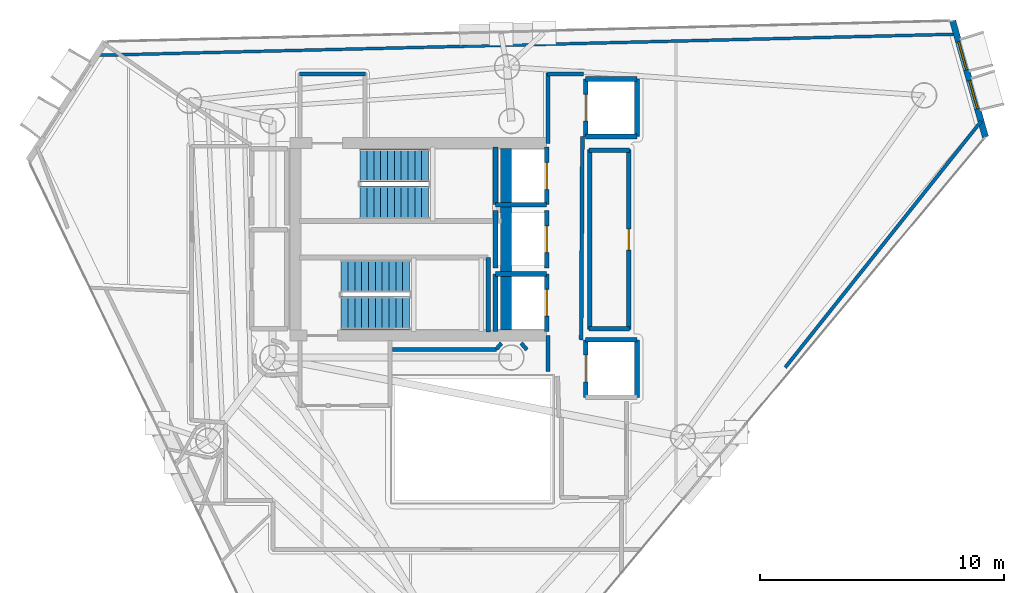
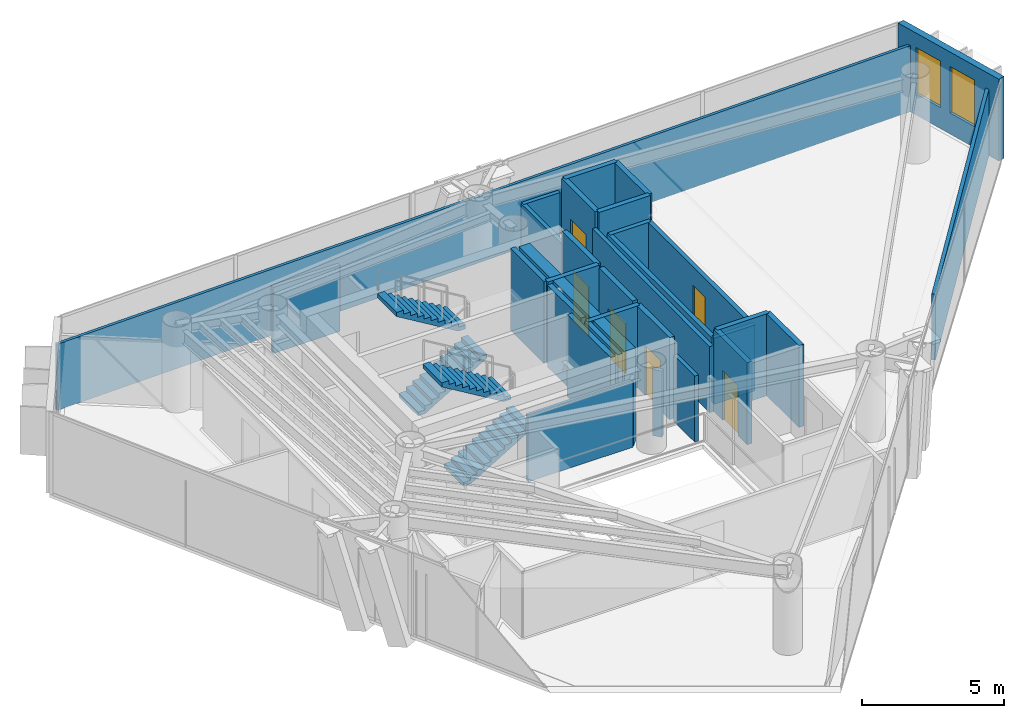
# One storey, part 16 of 20: 32 walls, 6 doors, 4 stair flights, 2 windows, 8 openings, 2 elements without a shape of their own.
"""IFC4 building model written with IfcOpenShell, lengths in metres."""

from ifc_helpers import new_model, si_unit, direction, frame, frame_2d, origin, place, context, subcontext, project, spatial, polyline, rectangle, outline, extrude, material, layer, layer_set, type_object, element, fill, aggregate, save


model = new_model("IFC4")

# Units and contexts
model_context = context("Model", 3, precision=1e-05, world=origin(), true_north=direction((0.0, 1.0)))
body_context = subcontext(model_context, "Body", "Model", "MODEL_VIEW")
ifc_project = project(units=[si_unit("LENGTHUNIT", "METRE"), si_unit("AREAUNIT", "SQUARE_METRE"), si_unit("VOLUMEUNIT", "CUBIC_METRE"), si_unit("PLANEANGLEUNIT", "RADIAN"), si_unit("MASSUNIT", "GRAM", prefix="KILO")], contexts=[model_context])

# Site, building, storey
site_placement = place(None, origin())
site = spatial("IfcSite", under=ifc_project, at=site_placement, CompositionType="ELEMENT")
building_placement = place(site_placement, origin())
building = spatial("IfcBuilding", under=site, at=building_placement, Name="Qianvela Tower", CompositionType="ELEMENT")
storey_placement = place(building_placement, frame((0.0, 0.0, 257.5)))
storey = spatial("IfcBuildingStorey", under=building, at=storey_placement, Name="L66", CompositionType="ELEMENT", Elevation=257.5)

# Wall, openings, windows
ifc_material_1 = material(Name="Terracotta Cladding on Concrete C40", Category="masonry")
ifc_layer_1 = layer(ifc_material_1, 0.260009765625)
ifc_layer_set_1 = layer_set([ifc_layer_1], Name="Terracotta Cladding on Concrete C40")
wall_type_1 = type_object("IfcWallType", Name="TERRACOTTA-WALL-260", PredefinedType="SOLIDWALL", material=ifc_layer_set_1)
wall_1_placement = place(storey_placement, frame((57.84814453125, 32.896484375, 0.0), z_axis=(0.0, 0.0, 1.0), x_axis=(-0.271221176686, 0.962517050923, 0.0)))
wall_1 = element("IfcWall", 1, at=wall_1_placement, inside=storey, type_object=wall_type_1, Name="L66 Terracotta Chamfer Facet Wall 1", PredefinedType="SOLIDWALL", context=body_context, shape_type="SweptSolid", body=[
    extrude(rectangle(XDim=4.949951171875, YDim=0.260009765625, at=frame_2d((2.47509765625, 0.0))), origin(), (0.0, 0.0, 1.0), 3.52001953125),
])
opening_1_placement = place(wall_1_placement, frame((1.205078125, 0.0, 0.89990234375)))
opening_1 = element("IfcOpeningElement", 2, at=opening_1_placement, cuts=wall_1, Name="Opening W-03", PredefinedType="OPENING", context=body_context, shape_type="SweptSolid", body=[
    extrude(rectangle(XDim=1.199951171875, YDim=2.0, at=frame_2d((0.60009765625, 1.0))), frame((0.0, 0.139892578125, 0.0), z_axis=(0.0, -1.0, 0.0), x_axis=(1.0, 0.0, 0.0)), (0.0, 0.0, 1.0), 0.280029296875),
])
opening_2_placement = place(wall_1_placement, frame((2.864990234375, 0.0, 0.89990234375)))
opening_2 = element("IfcOpeningElement", 3, at=opening_2_placement, cuts=wall_1, Name="Opening W-03", PredefinedType="OPENING", context=body_context, shape_type="SweptSolid", body=[
    extrude(rectangle(XDim=1.199951171875, YDim=2.0, at=frame_2d((0.60009765625, 1.0))), frame((0.0, 0.139892578125, 0.0), z_axis=(0.0, -1.0, 0.0), x_axis=(1.0, 0.0, 0.0)), (0.0, 0.0, 1.0), 0.280029296875),
])
ifc_material_2 = material(Name="Thermally Broken Aluminium and Low-E Glass", Category="aluminium")
window_type = type_object("IfcWindowType", Name="WIN-TC-1200x2000", PartitioningType="SINGLE_PANEL", PredefinedType="WINDOW", material=ifc_material_2)
window_1_placement = place(opening_1_placement, origin())
window_1 = element("IfcWindow", 4, at=window_1_placement, inside=storey, type_object=window_type, Name="L66 Chamfer Facet Window 1.1", OverallHeight=2.0, OverallWidth=1.199951171875, PartitioningType="SINGLE_PANEL", PredefinedType="WINDOW", context=body_context, shape_type="SweptSolid", body=[
    extrude(rectangle(XDim=1.199951171875, YDim=2.0, at=frame_2d((0.60009765625, 1.0))), frame((0.0, 0.030029296875, 0.0), z_axis=(0.0, -1.0, 0.0), x_axis=(1.0, 0.0, 0.0)), (0.0, 0.0, 1.0), 0.06005859375),
])
fill(opening_1, window_1)
window_2_placement = place(opening_2_placement, origin())
window_2 = element("IfcWindow", 5, at=window_2_placement, inside=storey, type_object=window_type, Name="L66 Chamfer Facet Window 1.2", OverallHeight=2.0, OverallWidth=1.199951171875, PartitioningType="SINGLE_PANEL", PredefinedType="WINDOW", context=body_context, shape_type="SweptSolid", body=[
    extrude(rectangle(XDim=1.199951171875, YDim=2.0, at=frame_2d((0.60009765625, 1.0))), frame((0.0, 0.030029296875, 0.0), z_axis=(0.0, -1.0, 0.0), x_axis=(1.0, 0.0, 0.0)), (0.0, 0.0, 1.0), 0.06005859375),
])
fill(opening_2, window_2)

# Walls
ifc_material_3 = material(Name="Concrete C50", Category="concrete")
ifc_layer_2 = layer(ifc_material_3, 0.449951171875)
ifc_layer_set_2 = layer_set([ifc_layer_2], Name="Concrete C50")
wall_type_2 = type_object("IfcWallType", Name="WT-CORE-450", PredefinedType="SHEAR", material=ifc_layer_set_2)
wall_2_placement = place(storey_placement, frame((38.179931640625, 24.97998046875, 0.0), z_axis=(0.0, 0.0, 1.0), x_axis=(0.0, 1.0, 0.0)))
element("IfcWall", 6, at=wall_2_placement, inside=storey, type_object=wall_type_2, Name="L66 East Spine Core Shear Wall", PredefinedType="SHEAR", context=body_context, shape_type="SweptSolid", body=[
    extrude(rectangle(XDim=7.43994140625, YDim=0.449951171875, at=frame_2d((3.719970703125, 0.0))), origin(), (0.0, 0.0, 1.0), 3.52001953125),
])
ifc_material_4 = material(Name="Fire-Rated Gypsum and Concrete Block", Category="concrete")
ifc_layer_3 = layer(ifc_material_4, 0.159912109375)
ifc_layer_set_3 = layer_set([ifc_layer_3], Name="Fire-Rated Gypsum and Concrete Block")
wall_type_3 = type_object("IfcWallType", Name="WT-CORR-160", PredefinedType="PARTITIONING", material=ifc_layer_set_3)
wall_3_placement = place(storey_placement, frame((29.699951171875, 35.489013671875, 0.0), z_axis=(0.0, 0.0, 1.0), x_axis=(1.0, 0.0, 0.0)))
element("IfcWall", 7, at=wall_3_placement, inside=storey, type_object=wall_type_3, Name="L66 Partition 3", PredefinedType="PARTITIONING", context=body_context, shape_type="SweptSolid", body=[
    extrude(rectangle(XDim=2.719970703125, YDim=0.159912109375, at=frame_2d((1.35986328125, 0.0))), origin(), (0.0, 0.0, 1.0), 2.840087890625),
])
wall_4_placement = place(storey_placement, frame((39.910888671875, 23.280029296875, 0.0), z_axis=(0.0, 0.0, 1.0), x_axis=(0.0, 1.0, 0.0)))
element("IfcWall", 8, at=wall_4_placement, inside=storey, type_object=wall_type_3, Name="L66 Partition 10", PredefinedType="PARTITIONING", context=body_context, shape_type="SweptSolid", body=[
    extrude(rectangle(XDim=1.47998046875, YDim=0.159912109375, at=frame_2d((0.739990234375, 0.0))), origin(), (0.0, 0.0, 1.0), 2.840087890625),
])
wall_5_placement = place(storey_placement, frame((39.910888671875, 32.639892578125, 0.0), z_axis=(0.0, 0.0, 1.0), x_axis=(0.0, 1.0, 0.0)))
element("IfcWall", 9, at=wall_5_placement, inside=storey, type_object=wall_type_3, Name="L66 Partition 12", PredefinedType="PARTITIONING", context=body_context, shape_type="SweptSolid", body=[
    extrude(rectangle(XDim=2.880126953125, YDim=0.159912109375, at=frame_2d((1.43994140625, 0.0))), origin(), (0.0, 0.0, 1.0), 2.840087890625),
])
wall_6_placement = place(storey_placement, frame((39.8798828125, 35.489013671875, 0.0), z_axis=(0.0, 0.0, 1.0), x_axis=(1.0, 0.0, 0.0)))
element("IfcWall", 10, at=wall_6_placement, inside=storey, type_object=wall_type_3, Name="L66 Partition 13", PredefinedType="PARTITIONING", context=body_context, shape_type="SweptSolid", body=[
    extrude(rectangle(XDim=1.480224609375, YDim=0.159912109375, at=frame_2d((0.740234375, 0.0))), origin(), (0.0, 0.0, 1.0), 2.840087890625),
])
wall_7_placement = place(storey_placement, frame((41.3134765625, 32.919921875, 0.0), z_axis=(0.0, 0.0, 1.0), x_axis=(-0.005942518022, -0.999982343084, 0.0)))
element("IfcWall", 11, at=wall_7_placement, inside=storey, type_object=wall_type_3, Name="L66 Partition 14 seg 2", PredefinedType="PARTITIONING", context=body_context, shape_type="SweptSolid", body=[
    extrude(rectangle(XDim=8.340087890625, YDim=0.159912109375, at=frame_2d((4.169921875, 0.0))), origin(), (0.0, 0.0, 1.0), 2.840087890625),
])
wall_8_placement = place(storey_placement, frame((39.0361328125, 24.170166015625, 0.0), z_axis=(0.0, 0.0, 1.0), x_axis=(-0.652260263346, 0.757995084984, 0.0)))
element("IfcWall", 12, at=wall_8_placement, inside=storey, type_object=wall_type_3, Name="L66 Partition 45", PredefinedType="PARTITIONING", context=body_context, shape_type="SweptSolid", body=[
    extrude(rectangle(XDim=0.35546875, YDim=0.159912109375, at=frame_2d((0.177734375, 0.0))), origin(), (0.0, 0.0, 1.0), 2.840087890625),
])
wall_9_placement = place(storey_placement, frame((37.995849609375, 24.439697265625, 0.0), z_axis=(0.0, 0.0, 1.0), x_axis=(-0.652425645794, -0.757852740782, 0.0)))
element("IfcWall", 13, at=wall_9_placement, inside=storey, type_object=wall_type_3, Name="L66 Partition 48", PredefinedType="PARTITIONING", context=body_context, shape_type="SweptSolid", body=[
    extrude(rectangle(XDim=0.319580078125, YDim=0.159912109375, at=frame_2d((0.15966796875, 0.0))), origin(), (0.0, 0.0, 1.0), 2.840087890625),
])
wall_10_placement = place(storey_placement, frame((37.787353515625, 24.180908203125, 0.0), z_axis=(0.0, 0.0, 1.0), x_axis=(-1.0, 0.0, 0.0)))
element("IfcWall", 14, at=wall_10_placement, inside=storey, type_object=wall_type_3, Name="L66 Partition 49", PredefinedType="PARTITIONING", context=body_context, shape_type="SweptSolid", body=[
    extrude(rectangle(XDim=4.25732421875, YDim=0.159912109375, at=frame_2d((2.128662109375, 0.0))), origin(), (0.0, 0.0, 1.0), 2.840087890625),
])
ifc_material_5 = material(Name="Insulated Gypsum Stud Partition")
ifc_layer_4 = layer(ifc_material_5, 0.1201171875)
ifc_layer_set_4 = layer_set([ifc_layer_4], Name="Insulated Gypsum Stud Partition")
wall_type_4 = type_object("IfcWallType", Name="WT-PART-120", PredefinedType="PARTITIONING", material=ifc_layer_set_4)
wall_11_placement = place(storey_placement, frame((21.364990234375, 36.24658203125, 0.0), z_axis=(0.0, 0.0, 1.0), x_axis=(0.999698298545, 0.024562407988, 0.0)))
element("IfcWall", 15, at=wall_11_placement, inside=storey, type_object=wall_type_4, Name="L66 Partition 87", PredefinedType="PARTITIONING", context=body_context, shape_type="SweptSolid", body=[
    extrude(rectangle(XDim=35.325439453125, YDim=0.1201171875, at=frame_2d((17.66259765625, 0.0))), origin(), (0.0, 0.0, 1.0), 2.840087890625),
])
ifc_material_6 = material(Name="Moisture-Resistant Acoustic Plumbing Wall")
ifc_layer_5 = layer(ifc_material_6, 0.175048828125)
ifc_layer_set_5 = layer_set([ifc_layer_5], Name="Moisture-Resistant Acoustic Plumbing Wall")
wall_type_5 = type_object("IfcWallType", Name="WT-PLUMB-175", PredefinedType="PLUMBINGWALL", material=ifc_layer_set_5)
wall_12_placement = place(storey_placement, frame((43.25, 25.031005859375, 0.0), z_axis=(0.0, 0.0, 1.0), x_axis=(-1.0, 0.0, 0.0)))
element("IfcWall", 16, at=wall_12_placement, inside=storey, type_object=wall_type_5, Name="L66 Partition 19", PredefinedType="PLUMBINGWALL", context=body_context, shape_type="SweptSolid", body=[
    extrude(rectangle(XDim=1.669921875, YDim=0.175048828125, at=frame_2d((0.8349609375, 0.0))), origin(), (0.0, 0.0, 1.0), 2.840087890625),
])
wall_13_placement = place(storey_placement, frame((41.611083984375, 25.0, 0.0), z_axis=(0.0, 0.0, 1.0), x_axis=(0.0, 1.0, 0.0)))
element("IfcWall", 17, at=wall_13_placement, inside=storey, type_object=wall_type_5, Name="L66 Partition 20", PredefinedType="PLUMBINGWALL", context=body_context, shape_type="SweptSolid", body=[
    extrude(rectangle(XDim=7.3798828125, YDim=0.175048828125, at=frame_2d((3.68994140625, 0.0))), origin(), (0.0, 0.0, 1.0), 2.840087890625),
])
wall_14_placement = place(storey_placement, frame((41.580078125, 32.34912109375, 0.0), z_axis=(0.0, 0.0, 1.0), x_axis=(1.0, 0.0, 0.0)))
element("IfcWall", 18, at=wall_14_placement, inside=storey, type_object=wall_type_5, Name="L66 Partition 21", PredefinedType="PLUMBINGWALL", context=body_context, shape_type="SweptSolid", body=[
    extrude(rectangle(XDim=1.669921875, YDim=0.175048828125, at=frame_2d((0.8349609375, 0.0))), origin(), (0.0, 0.0, 1.0), 2.840087890625),
])

# Wall, opening, door
wall_15_placement = place(storey_placement, frame((43.218994140625, 32.3798828125, 0.0), z_axis=(0.0, 0.0, 1.0), x_axis=(0.0, -1.0, 0.0)))
wall_15 = element("IfcWall", 19, at=wall_15_placement, inside=storey, type_object=wall_type_5, Name="L66 Partition 22", PredefinedType="PLUMBINGWALL", context=body_context, shape_type="SweptSolid", body=[
    extrude(rectangle(XDim=7.3798828125, YDim=0.175048828125, at=frame_2d((3.68994140625, 0.0))), origin(), (0.0, 0.0, 1.0), 2.840087890625),
])
opening_3_placement = place(wall_15_placement, frame((3.260009765625, 0.0, 0.0)))
opening_3 = element("IfcOpeningElement", 20, at=opening_3_placement, cuts=wall_15, Name="Opening D-WC1", PredefinedType="OPENING", context=body_context, shape_type="SweptSolid", body=[
    extrude(rectangle(XDim=0.860107421875, YDim=2.050048828125, at=frame_2d((0.43017578125, 1.02490234375))), frame((0.0, 0.097412109375, 0.0), z_axis=(0.0, -1.0, 0.0), x_axis=(1.0, 0.0, 0.0)), (0.0, 0.0, 1.0), 0.195068359375),
])
ifc_material_7 = material(Name="Moisture-Sealed Acoustic Timber Door", Category="wood")
door_type_1 = type_object("IfcDoorType", Name="DT-WC-860", OperationType="NOTDEFINED", PredefinedType="DOOR", material=ifc_material_7)
door_1_placement = place(opening_3_placement, origin())
door_1 = element("IfcDoor", 21, at=door_1_placement, inside=storey, type_object=door_type_1, Name="L66 Door L66 Accessible WC to Project Huddle Conference L66-02", OperationType="SINGLE_SWING_LEFT", OverallHeight=2.050048828125, OverallWidth=0.860107421875, PredefinedType="DOOR", context=body_context, shape_type="SweptSolid", body=[
    extrude(rectangle(XDim=0.860107421875, YDim=2.050048828125, at=frame_2d((0.43017578125, 1.02490234375))), frame((0.0, 0.02490234375, 0.0), z_axis=(0.0, -1.0, 0.0), x_axis=(1.0, 0.0, 0.0)), (0.0, 0.0, 1.0), 0.050048828125),
])
fill(opening_3, door_1)

# Walls
ifc_material_8 = material(Name="Acoustic Double Gypsum Stud Partition")
ifc_layer_6 = layer(ifc_material_8, 0.139892578125)
ifc_layer_set_6 = layer_set([ifc_layer_6], Name="Acoustic Double Gypsum Stud Partition")
wall_type_6 = type_object("IfcWallType", Name="WT-ROOM-140", PredefinedType="PARTITIONING", material=ifc_layer_set_6)
wall_16_placement = place(storey_placement, frame((57.6796875, 33.554443359375, 0.0), z_axis=(0.0, 0.0, 1.0), x_axis=(-0.622605098016, -0.782536192086, 0.0)))
element("IfcWall", 22, at=wall_16_placement, inside=storey, type_object=wall_type_6, Name="L66 Partition 89 seg 1", PredefinedType="PARTITIONING", context=body_context, shape_type="SweptSolid", body=[
    extrude(rectangle(XDim=12.920654296875, YDim=0.139892578125, at=frame_2d((6.46044921875, 0.0))), origin(), (0.0, 0.0, 1.0), 2.840087890625),
])
ifc_material_9 = material(Name="Concrete C50", Category="concrete")
ifc_layer_7 = layer(ifc_material_9, 0.199951171875)
ifc_layer_set_7 = layer_set([ifc_layer_7], Name="Concrete C50")
wall_type_7 = type_object("IfcWallType", Name="WT-SHAFT-200", PredefinedType="SOLIDWALL", material=ifc_layer_set_7)
wall_17_placement = place(storey_placement, frame((37.449951171875, 24.89990234375, 0.0), z_axis=(0.0, 0.0, 1.0), x_axis=(0.0, 1.0, 0.0)))
element("IfcWall", 23, at=wall_17_placement, inside=storey, type_object=wall_type_7, Name="L66 Stair ST-2 East Wall", PredefinedType="SOLIDWALL", context=body_context, shape_type="SweptSolid", body=[
    extrude(rectangle(XDim=3.06005859375, YDim=0.199951171875, at=frame_2d((1.530029296875, 0.0))), origin(), (0.0, 0.0, 1.0), 3.52001953125),
])

# Wall, opening, door
wall_18_placement = place(storey_placement, frame((39.85009765625, 30.1201171875, 0.0), z_axis=(0.0, 0.0, 1.0), x_axis=(0.0, 1.0, 0.0)))
wall_18 = element("IfcWall", 24, at=wall_18_placement, inside=storey, type_object=wall_type_7, Name="L66 Lift FL-1 E Shaft Wall", PredefinedType="SOLIDWALL", context=body_context, shape_type="SweptSolid", body=[
    extrude(rectangle(XDim=2.35986328125, YDim=0.199951171875, at=frame_2d((1.179931640625, 0.0))), origin(), (0.0, 0.0, 1.0), 3.52001953125),
])
opening_4_placement = place(wall_18_placement, frame((0.6298828125, 0.0, 0.0)))
opening_4 = element("IfcOpeningElement", 25, at=opening_4_placement, cuts=wall_18, Name="Opening LD-01", PredefinedType="OPENING", context=body_context, shape_type="SweptSolid", body=[
    extrude(rectangle(XDim=1.10009765625, YDim=2.14990234375, at=frame_2d((0.550048828125, 1.074951171875))), frame((0.0, 0.10986328125, 0.0), z_axis=(0.0, -1.0, 0.0), x_axis=(1.0, 0.0, 0.0)), (0.0, 0.0, 1.0), 0.219970703125),
])
ifc_material_10 = material(Name="Brushed Stainless Steel Lift Landing Door", Category="steel")
door_type_2 = type_object("IfcDoorType", Name="DT-LIFT-SLIDE-1100", OperationType="SLIDING_TO_LEFT", PredefinedType="DOOR", material=ifc_material_10)
door_2_placement = place(opening_4_placement, origin())
door_2 = element("IfcDoor", 26, at=door_2_placement, inside=storey, type_object=door_type_2, Name="L66 Lift FL-1 Sliding Landing Door", OperationType="SLIDING_TO_LEFT", OverallHeight=2.14990234375, OverallWidth=1.10009765625, PredefinedType="DOOR", context=body_context, shape_type="SweptSolid", body=[
    extrude(rectangle(XDim=1.10009765625, YDim=2.14990234375, at=frame_2d((0.550048828125, 1.074951171875))), frame((0.0, 0.02490234375, 0.0), z_axis=(0.0, -1.0, 0.0), x_axis=(1.0, 0.0, 0.0)), (0.0, 0.0, 1.0), 0.050048828125),
])
fill(opening_4, door_2)

# Walls
wall_19_placement = place(storey_placement, frame((37.75, 30.1201171875, 0.0), z_axis=(0.0, 0.0, 1.0), x_axis=(0.0, 1.0, 0.0)))
element("IfcWall", 27, at=wall_19_placement, inside=storey, type_object=wall_type_7, Name="L66 Lift FL-1 W Shaft Wall", PredefinedType="SOLIDWALL", context=body_context, shape_type="SweptSolid", body=[
    extrude(rectangle(XDim=2.35986328125, YDim=0.199951171875, at=frame_2d((1.179931640625, 0.0))), origin(), (0.0, 0.0, 1.0), 3.52001953125),
])
wall_20_placement = place(storey_placement, frame((37.75, 30.1201171875, 0.0), z_axis=(0.0, 0.0, 1.0), x_axis=(1.0, 0.0, 0.0)))
element("IfcWall", 28, at=wall_20_placement, inside=storey, type_object=wall_type_7, Name="L66 Lift FL-1 S Shaft Wall", PredefinedType="SOLIDWALL", context=body_context, shape_type="SweptSolid", body=[
    extrude(rectangle(XDim=2.10009765625, YDim=0.199951171875, at=frame_2d((1.050048828125, 0.0))), origin(), (0.0, 0.0, 1.0), 3.52001953125),
])

# Wall, opening, door
wall_21_placement = place(storey_placement, frame((39.85009765625, 24.919921875, 0.0), z_axis=(0.0, 0.0, 1.0), x_axis=(0.0, 1.0, 0.0)))
wall_21 = element("IfcWall", 29, at=wall_21_placement, inside=storey, type_object=wall_type_7, Name="L66 Lift FL-2 E Shaft Wall", PredefinedType="SOLIDWALL", context=body_context, shape_type="SweptSolid", body=[
    extrude(rectangle(XDim=2.360107421875, YDim=0.199951171875, at=frame_2d((1.18017578125, 0.0))), origin(), (0.0, 0.0, 1.0), 3.52001953125),
])
opening_5_placement = place(wall_21_placement, frame((0.6298828125, 0.0, 0.0)))
opening_5 = element("IfcOpeningElement", 30, at=opening_5_placement, cuts=wall_21, Name="Opening LD-01", PredefinedType="OPENING", context=body_context, shape_type="SweptSolid", body=[
    extrude(rectangle(XDim=1.10009765625, YDim=2.14990234375, at=frame_2d((0.550048828125, 1.074951171875))), frame((0.0, 0.10986328125, 0.0), z_axis=(0.0, -1.0, 0.0), x_axis=(1.0, 0.0, 0.0)), (0.0, 0.0, 1.0), 0.219970703125),
])
door_3_placement = place(opening_5_placement, origin())
door_3 = element("IfcDoor", 31, at=door_3_placement, inside=storey, type_object=door_type_2, Name="L66 Lift FL-2 Sliding Landing Door", OperationType="SLIDING_TO_LEFT", OverallHeight=2.14990234375, OverallWidth=1.10009765625, PredefinedType="DOOR", context=body_context, shape_type="SweptSolid", body=[
    extrude(rectangle(XDim=1.10009765625, YDim=2.14990234375, at=frame_2d((0.550048828125, 1.074951171875))), frame((0.0, 0.02490234375, 0.0), z_axis=(0.0, -1.0, 0.0), x_axis=(1.0, 0.0, 0.0)), (0.0, 0.0, 1.0), 0.050048828125),
])
fill(opening_5, door_3)

# Walls
wall_22_placement = place(storey_placement, frame((37.75, 24.919921875, 0.0), z_axis=(0.0, 0.0, 1.0), x_axis=(0.0, 1.0, 0.0)))
element("IfcWall", 32, at=wall_22_placement, inside=storey, type_object=wall_type_7, Name="L66 Lift FL-2 W Shaft Wall", PredefinedType="SOLIDWALL", context=body_context, shape_type="SweptSolid", body=[
    extrude(rectangle(XDim=2.360107421875, YDim=0.199951171875, at=frame_2d((1.18017578125, 0.0))), origin(), (0.0, 0.0, 1.0), 3.52001953125),
])
wall_23_placement = place(storey_placement, frame((37.75, 27.280029296875, 0.0), z_axis=(0.0, 0.0, 1.0), x_axis=(1.0, 0.0, 0.0)))
element("IfcWall", 33, at=wall_23_placement, inside=storey, type_object=wall_type_7, Name="L66 Lift FL-2 N Shaft Wall", PredefinedType="SOLIDWALL", context=body_context, shape_type="SweptSolid", body=[
    extrude(rectangle(XDim=2.10009765625, YDim=0.199951171875, at=frame_2d((1.050048828125, 0.0))), origin(), (0.0, 0.0, 1.0), 3.52001953125),
])

# Wall, opening, door
wall_24_placement = place(storey_placement, frame((39.85009765625, 27.52001953125, 0.0), z_axis=(0.0, 0.0, 1.0), x_axis=(0.0, 1.0, 0.0)))
wall_24 = element("IfcWall", 34, at=wall_24_placement, inside=storey, type_object=wall_type_7, Name="L66 Lift PL-H1 E Shaft Wall", PredefinedType="SOLIDWALL", context=body_context, shape_type="SweptSolid", body=[
    extrude(rectangle(XDim=2.35986328125, YDim=0.199951171875, at=frame_2d((1.179931640625, 0.0))), origin(), (0.0, 0.0, 1.0), 3.52001953125),
])
opening_6_placement = place(wall_24_placement, frame((0.6298828125, 0.0, 0.0)))
opening_6 = element("IfcOpeningElement", 35, at=opening_6_placement, cuts=wall_24, Name="Opening LD-01", PredefinedType="OPENING", context=body_context, shape_type="SweptSolid", body=[
    extrude(rectangle(XDim=1.10009765625, YDim=2.14990234375, at=frame_2d((0.550048828125, 1.074951171875))), frame((0.0, 0.10986328125, 0.0), z_axis=(0.0, -1.0, 0.0), x_axis=(1.0, 0.0, 0.0)), (0.0, 0.0, 1.0), 0.219970703125),
])
door_4_placement = place(opening_6_placement, origin())
door_4 = element("IfcDoor", 36, at=door_4_placement, inside=storey, type_object=door_type_2, Name="L66 Lift PL-H1 Sliding Landing Door", OperationType="SLIDING_TO_LEFT", OverallHeight=2.14990234375, OverallWidth=1.10009765625, PredefinedType="DOOR", context=body_context, shape_type="SweptSolid", body=[
    extrude(rectangle(XDim=1.10009765625, YDim=2.14990234375, at=frame_2d((0.550048828125, 1.074951171875))), frame((0.0, 0.02490234375, 0.0), z_axis=(0.0, -1.0, 0.0), x_axis=(1.0, 0.0, 0.0)), (0.0, 0.0, 1.0), 0.050048828125),
])
fill(opening_6, door_4)

# Walls
wall_25_placement = place(storey_placement, frame((37.75, 27.52001953125, 0.0), z_axis=(0.0, 0.0, 1.0), x_axis=(0.0, 1.0, 0.0)))
element("IfcWall", 37, at=wall_25_placement, inside=storey, type_object=wall_type_7, Name="L66 Lift PL-H1 W Shaft Wall", PredefinedType="SOLIDWALL", context=body_context, shape_type="SweptSolid", body=[
    extrude(rectangle(XDim=2.35986328125, YDim=0.199951171875, at=frame_2d((1.179931640625, 0.0))), origin(), (0.0, 0.0, 1.0), 3.52001953125),
])
wall_26_placement = place(storey_placement, frame((43.550048828125, 22.219970703125, 0.0), z_axis=(0.0, 0.0, 1.0), x_axis=(0.0, 1.0, 0.0)))
element("IfcWall", 38, at=wall_26_placement, inside=storey, type_object=wall_type_7, Name="L66 Lift PL-H2 E Shaft Wall", PredefinedType="SOLIDWALL", context=body_context, shape_type="SweptSolid", body=[
    extrude(rectangle(XDim=2.360107421875, YDim=0.199951171875, at=frame_2d((1.18017578125, 0.0))), origin(), (0.0, 0.0, 1.0), 3.52001953125),
])

# Wall, opening, door
wall_27_placement = place(storey_placement, frame((41.449951171875, 22.219970703125, 0.0), z_axis=(0.0, 0.0, 1.0), x_axis=(0.0, 1.0, 0.0)))
wall_27 = element("IfcWall", 39, at=wall_27_placement, inside=storey, type_object=wall_type_7, Name="L66 Lift PL-H2 W Shaft Wall", PredefinedType="SOLIDWALL", context=body_context, shape_type="SweptSolid", body=[
    extrude(rectangle(XDim=2.360107421875, YDim=0.199951171875, at=frame_2d((1.18017578125, 0.0))), origin(), (0.0, 0.0, 1.0), 3.52001953125),
])
opening_7_placement = place(wall_27_placement, frame((0.6298828125, 0.0, 0.0)))
opening_7 = element("IfcOpeningElement", 40, at=opening_7_placement, cuts=wall_27, Name="Opening LD-01", PredefinedType="OPENING", context=body_context, shape_type="SweptSolid", body=[
    extrude(rectangle(XDim=1.10009765625, YDim=2.14990234375, at=frame_2d((0.550048828125, 1.074951171875))), frame((0.0, 0.10986328125, 0.0), z_axis=(0.0, -1.0, 0.0), x_axis=(1.0, 0.0, 0.0)), (0.0, 0.0, 1.0), 0.219970703125),
])
door_5_placement = place(opening_7_placement, origin())
door_5 = element("IfcDoor", 41, at=door_5_placement, inside=storey, type_object=door_type_2, Name="L66 Lift PL-H2 Sliding Landing Door", OperationType="SLIDING_TO_LEFT", OverallHeight=2.14990234375, OverallWidth=1.10009765625, PredefinedType="DOOR", context=body_context, shape_type="SweptSolid", body=[
    extrude(rectangle(XDim=1.10009765625, YDim=2.14990234375, at=frame_2d((0.550048828125, 1.074951171875))), frame((0.0, 0.02490234375, 0.0), z_axis=(0.0, -1.0, 0.0), x_axis=(1.0, 0.0, 0.0)), (0.0, 0.0, 1.0), 0.050048828125),
])
fill(opening_7, door_5)

# Walls
wall_28_placement = place(storey_placement, frame((41.449951171875, 24.580078125, 0.0), z_axis=(0.0, 0.0, 1.0), x_axis=(1.0, 0.0, 0.0)))
element("IfcWall", 42, at=wall_28_placement, inside=storey, type_object=wall_type_7, Name="L66 Lift PL-H2 N Shaft Wall", PredefinedType="SOLIDWALL", context=body_context, shape_type="SweptSolid", body=[
    extrude(rectangle(XDim=2.10009765625, YDim=0.199951171875, at=frame_2d((1.050048828125, 0.0))), origin(), (0.0, 0.0, 1.0), 3.52001953125),
])
wall_29_placement = place(storey_placement, frame((43.550048828125, 32.919921875, 0.0), z_axis=(0.0, 0.0, 1.0), x_axis=(0.0, 1.0, 0.0)))
element("IfcWall", 43, at=wall_29_placement, inside=storey, type_object=wall_type_7, Name="L66 Lift PL-H3 E Shaft Wall", PredefinedType="SOLIDWALL", context=body_context, shape_type="SweptSolid", body=[
    extrude(rectangle(XDim=2.360107421875, YDim=0.199951171875, at=frame_2d((1.18017578125, 0.0))), origin(), (0.0, 0.0, 1.0), 3.52001953125),
])

# Wall, opening, door
wall_30_placement = place(storey_placement, frame((41.449951171875, 32.919921875, 0.0), z_axis=(0.0, 0.0, 1.0), x_axis=(0.0, 1.0, 0.0)))
wall_30 = element("IfcWall", 44, at=wall_30_placement, inside=storey, type_object=wall_type_7, Name="L66 Lift PL-H3 W Shaft Wall", PredefinedType="SOLIDWALL", context=body_context, shape_type="SweptSolid", body=[
    extrude(rectangle(XDim=2.360107421875, YDim=0.199951171875, at=frame_2d((1.18017578125, 0.0))), origin(), (0.0, 0.0, 1.0), 3.52001953125),
])
opening_8_placement = place(wall_30_placement, frame((0.6298828125, 0.0, 0.0)))
opening_8 = element("IfcOpeningElement", 45, at=opening_8_placement, cuts=wall_30, Name="Opening LD-01", PredefinedType="OPENING", context=body_context, shape_type="SweptSolid", body=[
    extrude(rectangle(XDim=1.10009765625, YDim=2.14990234375, at=frame_2d((0.550048828125, 1.074951171875))), frame((0.0, 0.10986328125, 0.0), z_axis=(0.0, -1.0, 0.0), x_axis=(1.0, 0.0, 0.0)), (0.0, 0.0, 1.0), 0.219970703125),
])
door_6_placement = place(opening_8_placement, origin())
door_6 = element("IfcDoor", 46, at=door_6_placement, inside=storey, type_object=door_type_2, Name="L66 Lift PL-H3 Sliding Landing Door", OperationType="SLIDING_TO_LEFT", OverallHeight=2.14990234375, OverallWidth=1.10009765625, PredefinedType="DOOR", context=body_context, shape_type="SweptSolid", body=[
    extrude(rectangle(XDim=1.10009765625, YDim=2.14990234375, at=frame_2d((0.550048828125, 1.074951171875))), frame((0.0, 0.02490234375, 0.0), z_axis=(0.0, -1.0, 0.0), x_axis=(1.0, 0.0, 0.0)), (0.0, 0.0, 1.0), 0.050048828125),
])
fill(opening_8, door_6)

# Walls
for number, where, z_axis, x_axis, name in (
    (47, (41.449951171875, 35.280029296875, 0.0), (0.0, 0.0, 1.0), (1.0, 0.0, 0.0), "L66 Lift PL-H3 N Shaft Wall"),
    (48, (41.449951171875, 32.919921875, 0.0), (0.0, 0.0, 1.0), (1.0, 0.0, 0.0), "L66 Lift PL-H3 S Shaft Wall"),
):
    element("IfcWall", number, at=place(storey_placement, frame(where, z_axis=z_axis, x_axis=x_axis)), inside=storey, type_object=wall_type_7, Name=name, PredefinedType="SOLIDWALL", context=body_context, shape_type="SweptSolid", body=[
        extrude(rectangle(XDim=2.10009765625, YDim=0.199951171875, at=frame_2d((1.050048828125, 0.0))), origin(), (0.0, 0.0, 1.0), 3.52001953125),
    ])

# Stair, stair flights
ifc_material_11 = material(Name="Concrete C40", Category="concrete")
stair_type = type_object("IfcStairType", Name="ST-DOGLEG-1350-R168-N22", PredefinedType="HALF_TURN_STAIR", material=ifc_material_11)
stair_1_placement = place(storey_placement, origin())
stair_1 = element("IfcStair", 49, at=stair_1_placement, inside=storey, type_object=stair_type, Name="L66 Smoke-Proof Core Stair ST-1", PredefinedType="HALF_TURN_STAIR")
ifc_material_12 = material(Name="Concrete C40", Category="concrete")
stair_flight_type = type_object("IfcStairFlightType", Name="STF-STRAIGHT-R168-P11", PredefinedType="STRAIGHT", material=ifc_material_12)
stair_flight_1_placement = place(storey_placement, frame((32.199951171875, 30.215087890625, 0.0), z_axis=(0.0, 0.0, 1.0), x_axis=(1.0, 0.0, 0.0)))
stair_flight_1 = element("IfcStairFlight", 50, at=stair_flight_1_placement, type_object=stair_flight_type, Name="ST-1 flight 1", NumberOfRisers=11, NumberOfTreads=10, PredefinedType="STRAIGHT", RiserHeight=0.168181818, TreadLength=0.28, context=body_context, shape_type="SweptSolid", body=[
    extrude(outline(polyline([(0.0, 0.0), (0.0, 0.168212890625), (0.280029296875, 0.168212890625), (0.280029296875, 0.33642578125), (0.56005859375, 0.33642578125), (0.56005859375, 0.504638671875), (0.840087890625, 0.504638671875), (0.840087890625, 0.672607421875), (1.1201171875, 0.672607421875), (1.1201171875, 0.8408203125), (1.39990234375, 0.8408203125), (1.39990234375, 1.009033203125), (1.679931640625, 1.009033203125), (1.679931640625, 1.17724609375), (1.9599609375, 1.17724609375), (1.9599609375, 1.345458984375), (2.239990234375, 1.345458984375), (2.239990234375, 1.513671875), (2.52001953125, 1.513671875), (2.52001953125, 1.681884765625), (2.800048828125, 1.681884765625), (2.800048828125, 1.85009765625), (2.800048828125, 1.5068359375), (0.291015625, 0.0), (0.0, 0.0)])), frame((0.0, 0.675048828125, 0.0), z_axis=(0.0, -1.0, 0.0), x_axis=(1.0, 0.0, 0.0)), (0.0, 0.0, 1.0), 1.35009765625),
])
stair_flight_2_placement = place(storey_placement, frame((35.0, 31.72509765625, 1.85009765625), z_axis=(0.0, 0.0, 1.0), x_axis=(-1.0, 0.0, 0.0)))
stair_flight_2 = element("IfcStairFlight", 51, at=stair_flight_2_placement, type_object=stair_flight_type, Name="ST-1 flight 2", NumberOfRisers=11, NumberOfTreads=10, PredefinedType="STRAIGHT", RiserHeight=0.168181818, TreadLength=0.28, context=body_context, shape_type="SweptSolid", body=[
    extrude(outline(polyline([(0.0, 0.0), (0.0, 0.168212890625), (0.280029296875, 0.168212890625), (0.280029296875, 0.33642578125), (0.56005859375, 0.33642578125), (0.56005859375, 0.504638671875), (0.840087890625, 0.504638671875), (0.840087890625, 0.672607421875), (1.1201171875, 0.672607421875), (1.1201171875, 0.8408203125), (1.39990234375, 0.8408203125), (1.39990234375, 1.009033203125), (1.679931640625, 1.009033203125), (1.679931640625, 1.17724609375), (1.9599609375, 1.17724609375), (1.9599609375, 1.345458984375), (2.239990234375, 1.345458984375), (2.239990234375, 1.513671875), (2.52001953125, 1.513671875), (2.52001953125, 1.681884765625), (2.800048828125, 1.681884765625), (2.800048828125, 1.85009765625), (2.800048828125, 1.5068359375), (0.291015625, 0.0), (0.0, 0.0)])), frame((0.0, 0.675048828125, 0.0), z_axis=(0.0, -1.0, 0.0), x_axis=(1.0, 0.0, 0.0)), (0.0, 0.0, 1.0), 1.35009765625),
])
aggregate(stair_1, [stair_flight_1, stair_flight_2])

stair_2_placement = place(storey_placement, origin())
stair_2 = element("IfcStair", 52, at=stair_2_placement, inside=storey, type_object=stair_type, Name="L66 Smoke-Proof Core Stair ST-2", PredefinedType="HALF_TURN_STAIR")
stair_flight_3_placement = place(storey_placement, frame((31.419921875, 25.675048828125, 0.0), z_axis=(0.0, 0.0, 1.0), x_axis=(1.0, 0.0, 0.0)))
stair_flight_3 = element("IfcStairFlight", 53, at=stair_flight_3_placement, type_object=stair_flight_type, Name="ST-2 flight 1", NumberOfRisers=11, NumberOfTreads=10, PredefinedType="STRAIGHT", RiserHeight=0.168181818, TreadLength=0.28, context=body_context, shape_type="SweptSolid", body=[
    extrude(outline(polyline([(0.0, 0.0), (0.0, 0.168212890625), (0.280029296875, 0.168212890625), (0.280029296875, 0.33642578125), (0.56005859375, 0.33642578125), (0.56005859375, 0.504638671875), (0.840087890625, 0.504638671875), (0.840087890625, 0.672607421875), (1.1201171875, 0.672607421875), (1.1201171875, 0.8408203125), (1.39990234375, 0.8408203125), (1.39990234375, 1.009033203125), (1.679931640625, 1.009033203125), (1.679931640625, 1.17724609375), (1.9599609375, 1.17724609375), (1.9599609375, 1.345458984375), (2.239990234375, 1.345458984375), (2.239990234375, 1.513671875), (2.52001953125, 1.513671875), (2.52001953125, 1.681884765625), (2.800048828125, 1.681884765625), (2.800048828125, 1.85009765625), (2.800048828125, 1.5068359375), (0.291015625, 0.0), (0.0, 0.0)])), frame((0.0, 0.675048828125, 0.0), z_axis=(0.0, -1.0, 0.0), x_axis=(1.0, 0.0, 0.0)), (0.0, 0.0, 1.0), 1.35009765625),
])
stair_flight_4_placement = place(storey_placement, frame((34.219970703125, 27.18505859375, 1.85009765625), z_axis=(0.0, 0.0, 1.0), x_axis=(-1.0, 0.0, 0.0)))
stair_flight_4 = element("IfcStairFlight", 54, at=stair_flight_4_placement, type_object=stair_flight_type, Name="ST-2 flight 2", NumberOfRisers=11, NumberOfTreads=10, PredefinedType="STRAIGHT", RiserHeight=0.168181818, TreadLength=0.28, context=body_context, shape_type="SweptSolid", body=[
    extrude(outline(polyline([(0.0, 0.0), (0.0, 0.168212890625), (0.280029296875, 0.168212890625), (0.280029296875, 0.33642578125), (0.56005859375, 0.33642578125), (0.56005859375, 0.504638671875), (0.840087890625, 0.504638671875), (0.840087890625, 0.672607421875), (1.1201171875, 0.672607421875), (1.1201171875, 0.8408203125), (1.39990234375, 0.8408203125), (1.39990234375, 1.009033203125), (1.679931640625, 1.009033203125), (1.679931640625, 1.17724609375), (1.9599609375, 1.17724609375), (1.9599609375, 1.345458984375), (2.239990234375, 1.345458984375), (2.239990234375, 1.513671875), (2.52001953125, 1.513671875), (2.52001953125, 1.681884765625), (2.800048828125, 1.681884765625), (2.800048828125, 1.85009765625), (2.800048828125, 1.5068359375), (0.291015625, 0.0), (0.0, 0.0)])), frame((0.0, 0.675048828125, 0.0), z_axis=(0.0, -1.0, 0.0), x_axis=(1.0, 0.0, 0.0)), (0.0, 0.0, 1.0), 1.35009765625),
])
aggregate(stair_2, [stair_flight_3, stair_flight_4])

save(model, "model.ifc")
